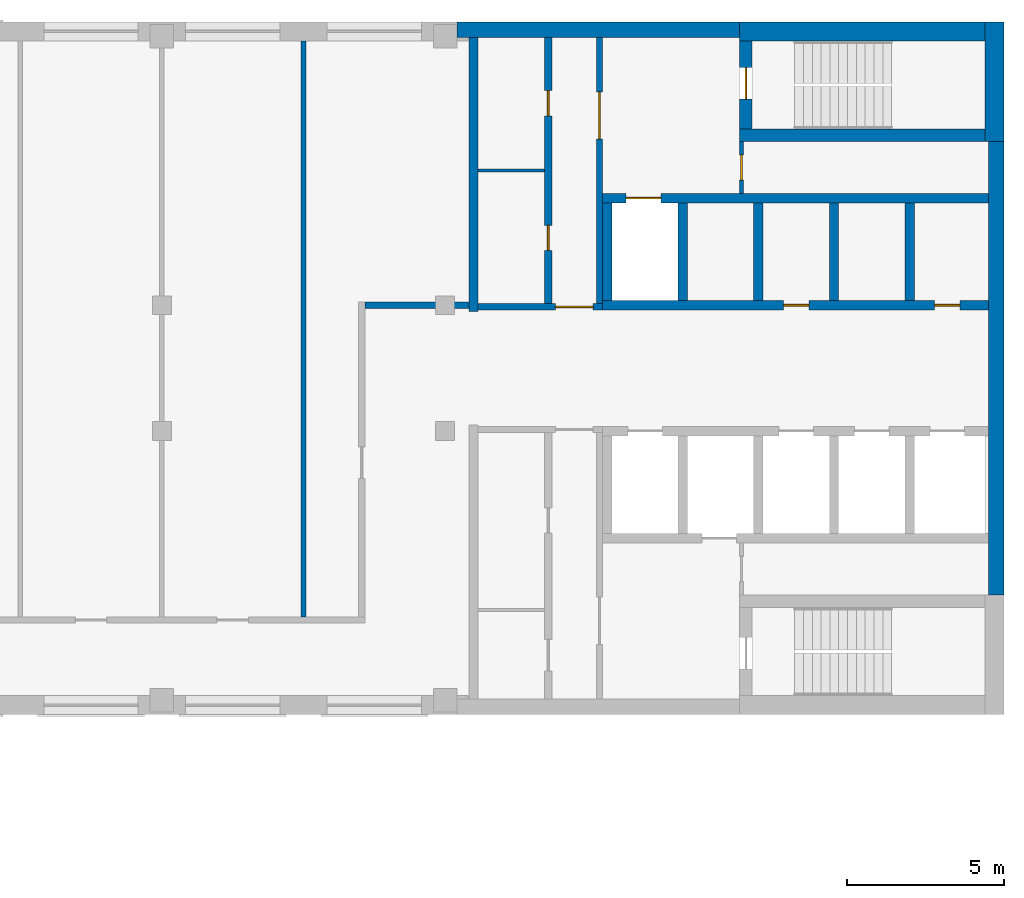
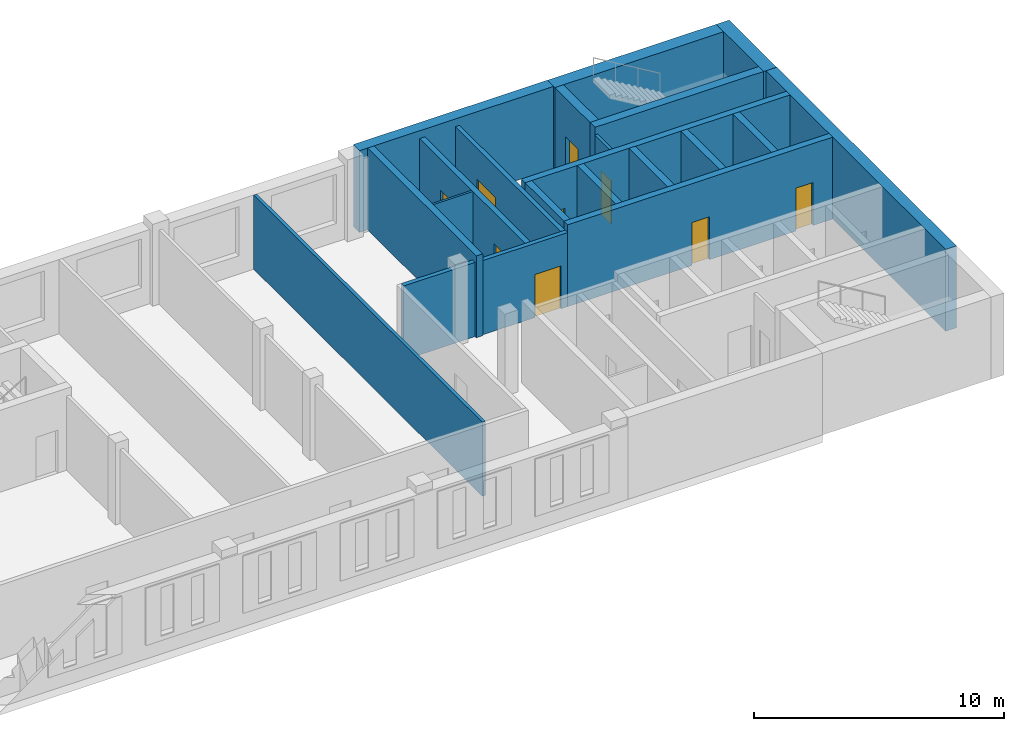
# One storey, part 6 of 11: 21 walls, 9 doors, 9 openings.
"""IFC4 building model written with IfcOpenShell, lengths in metres."""

import ifcopenshell
import ifcopenshell.guid

model = None  # the IFC model being written
_history = None  # IfcOwnerHistory: only IFC2X3 demands one
_inside = {}  # id of a spatial element -> (the spatial element, [elements in it])
_under = {}  # id of a project, library or spatial element -> (it, [spatial elements below it])
_declared = {}  # id of a project -> (the project, [libraries it declares])
_typed = {}  # id of a type object -> (the type object, [elements of that type])
_made_of = {}  # id of a material, layer set ... -> (it, [elements and type objects made of it])


def new_model(schema):
    """Start an empty IFC model of exactly this schema.

    Asked for "IFC4X3", IfcOpenShell would pick the latest addendum, in which some entities
    have other attributes; the version numbers below select the first issue.
    IFC2X3 requires an IfcOwnerHistory on every rooted entity: one is made here for all.
    """
    global model, _history
    if schema == "IFC4X3":
        model = ifcopenshell.file(schema_version=(4, 3, 0, 0))
    else:
        model = ifcopenshell.file(schema=schema)
    _inside.clear()
    _under.clear()
    _declared.clear()
    _typed.clear()
    _made_of.clear()
    _history = None
    if model.schema == "IFC2X3":
        org = make("IfcOrganization", Name="unknown")
        user = make(
            "IfcPersonAndOrganization",
            ThePerson=make("IfcPerson", FamilyName="unknown"),
            TheOrganization=org,
        )
        app = make(
            "IfcApplication",
            ApplicationDeveloper=org,
            Version="unknown",
            ApplicationFullName="unknown",
            ApplicationIdentifier="unknown",
        )
        _history = make(
            "IfcOwnerHistory",
            OwningUser=user,
            OwningApplication=app,
            ChangeAction="ADDED",
            CreationDate=0,
        )
    return model


def make(cls, **values):
    """One entity of the class cls with the attributes given. An attribute that is None is left unset."""
    return model.create_entity(
        cls, **{name: value for name, value in values.items() if value is not None}
    )


def rooted(cls, **values):
    """An entity with a GlobalId (a new one), such as an element, a storey or a relation."""
    return make(cls, GlobalId=ifcopenshell.guid.new(), OwnerHistory=_history, **values)


def si_unit(unit_type, name, prefix=None):
    """IfcSIUnit, for example si_unit("LENGTHUNIT", "METRE", prefix="MILLI")."""
    return make("IfcSIUnit", UnitType=unit_type, Prefix=prefix, Name=name)


def assignment(units):
    """IfcUnitAssignment: the units of a project."""
    return None if units is None else make("IfcUnitAssignment", Units=units)


def point(xyz):
    """IfcCartesianPoint."""
    return None if xyz is None else make("IfcCartesianPoint", Coordinates=xyz)


def direction(xyz):
    """IfcDirection."""
    return None if xyz is None else make("IfcDirection", DirectionRatios=xyz)


def frame(location, z_axis=None, x_axis=None):
    """IfcAxis2Placement3D, a coordinate frame: its origin and axes. An axis left out is left unset."""
    return make(
        "IfcAxis2Placement3D",
        Location=point(location),
        Axis=direction(z_axis),
        RefDirection=direction(x_axis),
    )


def frame_2d(location, x_axis=None):
    """IfcAxis2Placement2D, a coordinate frame in the plane: its origin and x axis."""
    return make(
        "IfcAxis2Placement2D", Location=point(location), RefDirection=direction(x_axis)
    )


def origin():
    """The frame at (0, 0, 0) with its axes left unset."""
    return frame((0.0, 0.0, 0.0))


def place(relative_to, where):
    """IfcLocalPlacement: puts the frame where relative to a parent placement (None: the world)."""
    return make(
        "IfcLocalPlacement", PlacementRelTo=relative_to, RelativePlacement=where
    )


def context(
    kind, dimensions, precision=None, world=None, true_north=None, identifier=None
):
    """IfcGeometricRepresentationContext, for example the 3D "Model" context."""
    return make(
        "IfcGeometricRepresentationContext",
        ContextIdentifier=identifier,
        ContextType=kind,
        CoordinateSpaceDimension=dimensions,
        Precision=precision,
        WorldCoordinateSystem=world,
        TrueNorth=true_north,
    )


def subcontext(parent, identifier, kind, view, scale=None):
    """IfcGeometricRepresentationSubContext, for example "Body" below "Model"."""
    return make(
        "IfcGeometricRepresentationSubContext",
        ContextIdentifier=identifier,
        ContextType=kind,
        ParentContext=parent,
        TargetScale=scale,
        TargetView=view,
    )


def project(units=None, contexts=None):
    """IfcProject with its units and contexts."""
    return rooted(
        "IfcProject",
        Name="project",
        RepresentationContexts=contexts,
        UnitsInContext=assignment(units),
    )


def spatial(cls, under=None, at=None, **own):
    """A site, building, storey or space (cls), placed at a placement, below another one or the project."""
    s = rooted(cls, ObjectPlacement=at, **own)
    if under is not None:
        _under.setdefault(under.id(), (under, []))[1].append(s)
    return s


def profile(cls, at=None, kind="AREA", **sizes):
    """A parametric profile (cls). Its sizes go by their IFC names, for example OverallWidth=200.0."""
    return make(cls, ProfileType=kind, Position=at, **sizes)


def rectangle(**sizes):
    """IfcRectangleProfileDef."""
    return profile("IfcRectangleProfileDef", **sizes)


def extrude(swept, where, along, depth):
    """IfcExtrudedAreaSolid: the profile swept, set in the frame where, extruded along a direction by depth."""
    return make(
        "IfcExtrudedAreaSolid",
        SweptArea=swept,
        Position=where,
        ExtrudedDirection=direction(along),
        Depth=depth,
    )


def shape(context_of_items, identifier, shape_type, items):
    """IfcShapeRepresentation: the items that make up one representation, for example the "Body"."""
    return make(
        "IfcShapeRepresentation",
        ContextOfItems=context_of_items,
        RepresentationIdentifier=identifier,
        RepresentationType=shape_type,
        Items=items,
    )


def material(Name=None, Category=None):
    """IfcMaterial."""
    return make("IfcMaterial", Name=Name, Category=Category)


def layer(
    of_material, thickness, ventilated=None, Name=None, Category=None, Priority=None
):
    """IfcMaterialLayer: one layer of a wall or slab, of a material (None: an air gap)."""
    return make(
        "IfcMaterialLayer",
        Material=of_material,
        LayerThickness=thickness,
        IsVentilated=ventilated,
        Name=Name,
        Category=Category,
        Priority=Priority,
    )


def layer_set(layers, Name=None):
    """IfcMaterialLayerSet."""
    return make("IfcMaterialLayerSet", MaterialLayers=layers, LayerSetName=Name)


def made_of(thing, what):
    """Note that an element or type object is made of a material, layer set ...; save() writes the relation."""
    if what is not None:
        _made_of.setdefault(what.id(), (what, []))[1].append(thing)
    return thing


def type_object(cls, material=None, **own):
    """A type object (cls), such as IfcWallType, which elements share."""
    return made_of(rooted(cls, **own), material)


def element(
    cls,
    number,
    at=None,
    inside=None,
    cuts=None,
    type_object=None,
    material=None,
    context=None,
    identifier="Body",
    shape_type=None,
    held_by="IfcProductDefinitionShape",
    body=None,
    shapes=None,
    **own,
):
    """One element of the class cls, such as IfcWall. Its Tag is "e" and its number.

    at: its placement. inside: the storey or other place that contains it. cuts: it is an
    opening in that element (IfcRelVoidsElement). A single representation is given by context,
    identifier, shape_type and body (its items); several are given by shapes. held_by: the class
    of the entity that holds the representations. save() writes the other relations.
    """
    e = rooted(cls, Tag="e%d" % number, ObjectPlacement=at, **own)
    if body is not None:
        shapes = [shape(context, identifier, shape_type, body)]
    if shapes is not None:
        e.Representation = make(held_by, Representations=shapes)
    if inside is not None:
        _inside.setdefault(inside.id(), (inside, []))[1].append(e)
    if cuts is not None:
        rooted(
            "IfcRelVoidsElement", RelatingBuildingElement=cuts, RelatedOpeningElement=e
        )
    if type_object is not None:
        _typed.setdefault(type_object.id(), (type_object, []))[1].append(e)
    return made_of(e, material)


def fill(opening, filler):
    """IfcRelFillsElement: the door or window that sits in an opening."""
    return rooted(
        "IfcRelFillsElement",
        RelatingOpeningElement=opening,
        RelatedBuildingElement=filler,
    )


def aggregate(whole, parts):
    """IfcRelAggregates: a whole, such as a stair, and the parts it consists of."""
    return rooted("IfcRelAggregates", RelatingObject=whole, RelatedObjects=parts)


def save(model, path):
    """Write the relations noted so far, then the file.

    IfcRelAggregates (storeys below a building ...), IfcRelContainedInSpatialStructure (elements
    in a storey), IfcRelDefinesByType, IfcRelAssociatesMaterial and IfcRelDeclares: one each for
    every whole, place, type object, material and project.
    """
    for whole, parts in _under.values():
        aggregate(whole, parts)
    for where, things in _inside.values():
        rooted(
            "IfcRelContainedInSpatialStructure",
            RelatedElements=things,
            RelatingStructure=where,
        )
    for kind, things in _typed.values():
        rooted("IfcRelDefinesByType", RelatedObjects=things, RelatingType=kind)
    for what, things in _made_of.values():
        rooted("IfcRelAssociatesMaterial", RelatedObjects=things, RelatingMaterial=what)
    for by, libraries in _declared.values():
        rooted("IfcRelDeclares", RelatingContext=by, RelatedDefinitions=libraries)
    model.write(path)


model = new_model("IFC4")

# Units and contexts
model_context = context("Model", 3, precision=1e-05, world=origin(), true_north=direction((0.0, 1.0)))
body_context = subcontext(model_context, "Body", "Model", "MODEL_VIEW")
ifc_project = project(units=[si_unit("LENGTHUNIT", "METRE"), si_unit("AREAUNIT", "SQUARE_METRE"), si_unit("VOLUMEUNIT", "CUBIC_METRE"), si_unit("PLANEANGLEUNIT", "RADIAN"), si_unit("MASSUNIT", "GRAM", prefix="KILO")], contexts=[model_context])

# Site, building, storey
site_placement = place(None, origin())
site = spatial("IfcSite", under=ifc_project, at=site_placement, CompositionType="ELEMENT")
building_placement = place(site_placement, origin())
building = spatial("IfcBuilding", under=site, at=building_placement, Name="Skarvind Civic Tower", CompositionType="ELEMENT")
storey_placement = place(building_placement, frame((0.0, 0.0, 212.0)))
storey = spatial("IfcBuildingStorey", under=building, at=storey_placement, Name="L50", CompositionType="ELEMENT", Elevation=212.0)

# Wall, opening, door
ifc_material_1 = material(Name="Fire-rated masonry partition", Category="masonry")
ifc_layer_1 = layer(ifc_material_1, 0.199951171875)
ifc_layer_set_1 = layer_set([ifc_layer_1], Name="Core enclosure wall 200")
wall_type_1 = type_object("IfcWallType", Name="Core enclosure wall 200", PredefinedType="PARTITIONING", material=ifc_layer_set_1)
wall_1_placement = place(storey_placement, frame((91.300048828125, 129.949951171875, 0.0), z_axis=(0.0, 0.0, 1.0), x_axis=(1.0, 0.0, 0.0)))
wall_1 = element("IfcWall", 1, at=wall_1_placement, inside=storey, type_object=wall_type_1, Name="Core wall C1", PredefinedType="PARTITIONING", context=body_context, shape_type="SweptSolid", body=[
    extrude(rectangle(XDim=3.949951171875, YDim=0.199951171875, at=frame_2d((1.97509765625, 0.0))), origin(), (0.0, 0.0, 1.0), 3.625),
])
opening_1_placement = place(wall_1_placement, frame((2.449951171875, 0.0, 0.0)))
opening_1 = element("IfcOpeningElement", 2, at=opening_1_placement, cuts=wall_1, Name="Opening D-L50-C1-13", PredefinedType="OPENING", context=body_context, shape_type="SweptSolid", body=[
    extrude(rectangle(XDim=1.199951171875, YDim=2.10009765625, at=frame_2d((0.60009765625, 1.050048828125))), frame((0.0, 0.10986328125, 0.0), z_axis=(0.0, -1.0, 0.0), x_axis=(1.0, 0.0, 0.0)), (0.0, 0.0, 1.0), 0.219970703125),
])
ifc_material_2 = material(Name="Fire-rated steel door", Category="steel")
door_type_1 = type_object("IfcDoorType", Name="Core lobby door 1200", OperationType="NOTDEFINED", PredefinedType="DOOR", material=ifc_material_2)
door_1_placement = place(opening_1_placement, origin())
door_1 = element("IfcDoor", 3, at=door_1_placement, inside=storey, type_object=door_type_1, Name="Fire door", OperationType="DOUBLE_DOOR_SINGLE_SWING", OverallHeight=2.10009765625, OverallWidth=1.199951171875, PredefinedType="DOOR", context=body_context, shape_type="SweptSolid", body=[
    extrude(rectangle(XDim=1.199951171875, YDim=2.10009765625, at=frame_2d((0.60009765625, 1.050048828125))), frame((0.0, 0.02490234375, 0.0), z_axis=(0.0, -1.0, 0.0), x_axis=(1.0, 0.0, 0.0)), (0.0, 0.0, 1.0), 0.050048828125),
])
fill(opening_1, door_1)

wall_2_placement = place(storey_placement, frame((95.14990234375, 130.050048828125, 0.0), z_axis=(0.0, 0.0, 1.0), x_axis=(0.0, 1.0, 0.0)))
wall_2 = element("IfcWall", 4, at=wall_2_placement, inside=storey, type_object=wall_type_1, Name="Core wall C1", PredefinedType="PARTITIONING", context=body_context, shape_type="SweptSolid", body=[
    extrude(rectangle(XDim=8.449951171875, YDim=0.199951171875, at=frame_2d((4.22509765625, 0.0))), origin(), (0.0, 0.0, 1.0), 3.625),
])
opening_2_placement = place(wall_2_placement, frame((5.22509765625, 0.0, 0.0)))
opening_2 = element("IfcOpeningElement", 5, at=opening_2_placement, cuts=wall_2, Name="Opening D-L50-C1-14", PredefinedType="OPENING", context=body_context, shape_type="SweptSolid", body=[
    extrude(rectangle(XDim=1.5, YDim=2.10009765625, at=frame_2d((0.75, 1.050048828125))), frame((0.0, 0.10986328125, 0.0), z_axis=(0.0, -1.0, 0.0), x_axis=(1.0, 0.0, 0.0)), (0.0, 0.0, 1.0), 0.219970703125),
])
door_type_2 = type_object("IfcDoorType", Name="Fire door 1500", OperationType="NOTDEFINED", PredefinedType="DOOR", material=ifc_material_2)
door_2_placement = place(opening_2_placement, origin())
door_2 = element("IfcDoor", 6, at=door_2_placement, inside=storey, type_object=door_type_2, Name="Fire door", OperationType="DOUBLE_DOOR_SINGLE_SWING", OverallHeight=2.10009765625, OverallWidth=1.5, PredefinedType="DOOR", context=body_context, shape_type="SweptSolid", body=[
    extrude(rectangle(XDim=1.5, YDim=2.10009765625, at=frame_2d((0.75, 1.050048828125))), frame((0.0, 0.02490234375, 0.0), z_axis=(0.0, -1.0, 0.0), x_axis=(1.0, 0.0, 0.0)), (0.0, 0.0, 1.0), 0.050048828125),
])
fill(opening_2, door_2)

# Wall
ifc_material_3 = material(Name="Fire-rated plasterboard partition")
ifc_layer_2 = layer(ifc_material_3, 0.10009765625)
ifc_layer_set_2 = layer_set([ifc_layer_2], Name="Core partition wall 100")
wall_type_2 = type_object("IfcWallType", Name="Core partition wall 100", PredefinedType="PARTITIONING", material=ifc_layer_set_2)
wall_3_placement = place(storey_placement, frame((91.300048828125, 134.280029296875, 0.0), z_axis=(0.0, 0.0, 1.0), x_axis=(1.0, 0.0, 0.0)))
element("IfcWall", 7, at=wall_3_placement, inside=storey, type_object=wall_type_2, Name="Core wall C1", PredefinedType="PARTITIONING", context=body_context, shape_type="SweptSolid", body=[
    extrude(rectangle(XDim=2.099853515625, YDim=0.10009765625, at=frame_2d((1.0498046875, 0.0))), origin(), (0.0, 0.0, 1.0), 3.625),
])

# Wall, openings, doors
ifc_material_4 = material(Name="Concrete C60", Category="concrete")
ifc_layer_3 = layer(ifc_material_4, 0.300048828125)
ifc_layer_set_3 = layer_set([ifc_layer_3], Name="Core wall 300 C60")
wall_type_3 = type_object("IfcWallType", Name="Core wall 300 C60", PredefinedType="SHEAR", material=ifc_layer_set_3)
wall_4_placement = place(storey_placement, frame((107.5, 130.0, 0.0), z_axis=(0.0, 0.0, 1.0), x_axis=(-1.0, 0.0, 0.0)))
wall_4 = element("IfcWall", 8, at=wall_4_placement, inside=storey, type_object=wall_type_3, Name="Core wall C1 south lift row front L50", PredefinedType="SHEAR", context=body_context, shape_type="SweptSolid", body=[
    extrude(rectangle(XDim=12.25, YDim=0.300048828125, at=frame_2d((6.125, 0.0))), origin(), (0.0, 0.0, 1.0), 4.0),
])
opening_3_placement = place(wall_4_placement, frame((0.89990234375, 0.0, 0.0)))
opening_3 = element("IfcOpeningElement", 9, at=opening_3_placement, cuts=wall_4, Name="Opening D-L50-C1-05", PredefinedType="OPENING", context=body_context, shape_type="SweptSolid", body=[
    extrude(rectangle(XDim=0.800048828125, YDim=2.10009765625, at=frame_2d((0.39990234375, 1.050048828125))), frame((0.0, 0.159912109375, 0.0), z_axis=(0.0, -1.0, 0.0), x_axis=(1.0, 0.0, 0.0)), (0.0, 0.0, 1.0), 0.320068359375),
])
opening_4_placement = place(wall_4_placement, frame((5.699951171875, 0.0, 0.0)))
opening_4 = element("IfcOpeningElement", 10, at=opening_4_placement, cuts=wall_4, Name="Opening D-L50-C1-06", PredefinedType="OPENING", context=body_context, shape_type="SweptSolid", body=[
    extrude(rectangle(XDim=0.800048828125, YDim=2.10009765625, at=frame_2d((0.39990234375, 1.050048828125))), frame((0.0, 0.159912109375, 0.0), z_axis=(0.0, -1.0, 0.0), x_axis=(1.0, 0.0, 0.0)), (0.0, 0.0, 1.0), 0.320068359375),
])
door_type_3 = type_object("IfcDoorType", Name="Core riser door 800", OperationType="NOTDEFINED", PredefinedType="DOOR", material=ifc_material_2)
door_3_placement = place(opening_3_placement, origin())
door_3 = element("IfcDoor", 11, at=door_3_placement, inside=storey, type_object=door_type_3, Name="Riser door", OperationType="SINGLE_SWING_LEFT", OverallHeight=2.10009765625, OverallWidth=0.800048828125, PredefinedType="DOOR", context=body_context, shape_type="SweptSolid", body=[
    extrude(rectangle(XDim=0.800048828125, YDim=2.10009765625, at=frame_2d((0.39990234375, 1.050048828125))), frame((0.0, 0.02490234375, 0.0), z_axis=(0.0, -1.0, 0.0), x_axis=(1.0, 0.0, 0.0)), (0.0, 0.0, 1.0), 0.050048828125),
])
fill(opening_3, door_3)
door_4_placement = place(opening_4_placement, origin())
door_4 = element("IfcDoor", 12, at=door_4_placement, inside=storey, type_object=door_type_3, Name="Riser door", OperationType="SINGLE_SWING_RIGHT", OverallHeight=2.10009765625, OverallWidth=0.800048828125, PredefinedType="DOOR", context=body_context, shape_type="SweptSolid", body=[
    extrude(rectangle(XDim=0.800048828125, YDim=2.10009765625, at=frame_2d((0.39990234375, 1.050048828125))), frame((0.0, 0.02490234375, 0.0), z_axis=(0.0, -1.0, 0.0), x_axis=(1.0, 0.0, 0.0)), (0.0, 0.0, 1.0), 0.050048828125),
])
fill(opening_4, door_4)

# Wall, opening, door
wall_5_placement = place(storey_placement, frame((107.5, 133.39990234375, 0.0), z_axis=(0.0, 0.0, 1.0), x_axis=(-1.0, 0.0, 0.0)))
wall_5 = element("IfcWall", 13, at=wall_5_placement, inside=storey, type_object=wall_type_3, Name="Core wall C1 south lift row back L50", PredefinedType="SHEAR", context=body_context, shape_type="SweptSolid", body=[
    extrude(rectangle(XDim=12.25, YDim=0.300048828125, at=frame_2d((6.125, 0.0))), origin(), (0.0, 0.0, 1.0), 4.0),
])
opening_5_placement = place(wall_5_placement, frame((10.39990234375, 0.0, 0.0)))
opening_5 = element("IfcOpeningElement", 14, at=opening_5_placement, cuts=wall_5, Name="Opening LD52110", PredefinedType="OPENING", context=body_context, shape_type="SweptSolid", body=[
    extrude(rectangle(XDim=1.10009765625, YDim=2.10009765625, at=frame_2d((0.550048828125, 1.050048828125))), frame((0.0, 0.159912109375, 0.0), z_axis=(0.0, -1.0, 0.0), x_axis=(1.0, 0.0, 0.0)), (0.0, 0.0, 1.0), 0.320068359375),
])
ifc_material_5 = material(Name="Stainless steel landing door", Category="steel")
door_type_4 = type_object("IfcDoorType", Name="Lift landing door 1100", OperationType="DOUBLE_DOOR_SLIDING", PredefinedType="DOOR", material=ifc_material_5)
door_5_placement = place(opening_5_placement, origin())
door_5 = element("IfcDoor", 15, at=door_5_placement, inside=storey, type_object=door_type_4, Name="Lift landing door", OperationType="DOUBLE_DOOR_SLIDING", OverallHeight=2.10009765625, OverallWidth=1.10009765625, PredefinedType="DOOR", context=body_context, shape_type="SweptSolid", body=[
    extrude(rectangle(XDim=1.10009765625, YDim=2.10009765625, at=frame_2d((0.550048828125, 1.050048828125))), frame((0.0, 0.02490234375, 0.0), z_axis=(0.0, -1.0, 0.0), x_axis=(1.0, 0.0, 0.0)), (0.0, 0.0, 1.0), 0.050048828125),
])
fill(opening_5, door_5)

# Walls
for number, where, z_axis, x_axis, name in (
    (16, (105.0, 133.25, 0.0), (0.0, 0.0, 1.0), (0.0, -1.0, 0.0), "Core wall C1 south lift row division 1 L50"),
    (17, (102.60009765625, 133.25, 0.0), (0.0, 0.0, 1.0), (0.0, -1.0, 0.0), "Core wall C1 south lift row division 2 L50"),
    (18, (100.199951171875, 133.25, 0.0), (0.0, 0.0, 1.0), (0.0, -1.0, 0.0), "Core wall C1 south lift row division 3 L50"),
    (19, (97.800048828125, 133.25, 0.0), (0.0, 0.0, 1.0), (0.0, -1.0, 0.0), "Core wall C1 south lift row division 4 L50"),
    (20, (95.39990234375, 133.25, 0.0), (0.0, 0.0, 1.0), (0.0, -1.0, 0.0), "Core wall C1 south lift row division 5 L50"),
):
    element("IfcWall", number, at=place(storey_placement, frame(where, z_axis=z_axis, x_axis=x_axis)), inside=storey, type_object=wall_type_3, Name=name, PredefinedType="SHEAR", context=body_context, shape_type="SweptSolid", body=[
        extrude(rectangle(XDim=3.10009765625, YDim=0.300048828125, at=frame_2d((1.550048828125, 0.0))), origin(), (0.0, 0.0, 1.0), 4.0),
    ])
wall_6_placement = place(storey_placement, frame((91.14990234375, 138.5, 0.0), z_axis=(0.0, 0.0, 1.0), x_axis=(0.0, -1.0, 0.0)))
element("IfcWall", 21, at=wall_6_placement, inside=storey, type_object=wall_type_3, Name="Core wall C1 south inner face L50", PredefinedType="SHEAR", context=body_context, shape_type="SweptSolid", body=[
    extrude(rectangle(XDim=8.699951171875, YDim=0.300048828125, at=frame_2d((4.35009765625, 0.0))), origin(), (0.0, 0.0, 1.0), 4.0),
])
ifc_layer_4 = layer(ifc_material_4, 0.39990234375)
ifc_layer_set_4 = layer_set([ifc_layer_4], Name="Core wall 400 C60")
wall_type_4 = type_object("IfcWallType", Name="Core wall 400 C60", PredefinedType="SHEAR", material=ifc_layer_set_4)
wall_7_placement = place(storey_placement, frame((107.39990234375, 135.39990234375, 0.0), z_axis=(0.0, 0.0, 1.0), x_axis=(-1.0, 0.0, 0.0)))
element("IfcWall", 22, at=wall_7_placement, inside=storey, type_object=wall_type_4, Name="Core wall C1 south stair inner L50", PredefinedType="SHEAR", context=body_context, shape_type="SweptSolid", body=[
    extrude(rectangle(XDim=7.7998046875, YDim=0.39990234375, at=frame_2d((3.89990234375, 0.0))), origin(), (0.0, 0.0, 1.0), 4.0),
])

# Wall, opening, door
wall_8_placement = place(storey_placement, frame((99.800048828125, 138.39990234375, 0.0), z_axis=(0.0, 0.0, 1.0), x_axis=(0.0, -1.0, 0.0)))
wall_8 = element("IfcWall", 23, at=wall_8_placement, inside=storey, type_object=wall_type_4, Name="Core wall C1 south stair end L50", PredefinedType="SHEAR", context=body_context, shape_type="SweptSolid", body=[
    extrude(rectangle(XDim=2.7998046875, YDim=0.39990234375, at=frame_2d((1.39990234375, 0.0))), origin(), (0.0, 0.0, 1.0), 4.0),
])
opening_6_placement = place(wall_8_placement, frame((0.85009765625, 0.0, 0.0)))
opening_6 = element("IfcOpeningElement", 24, at=opening_6_placement, cuts=wall_8, Name="Opening D-L50-C1-15", PredefinedType="OPENING", context=body_context, shape_type="SweptSolid", body=[
    extrude(rectangle(XDim=1.0, YDim=2.10009765625, at=frame_2d((0.5, 1.050048828125))), frame((0.0, 0.2099609375, 0.0), z_axis=(0.0, -1.0, 0.0), x_axis=(1.0, 0.0, 0.0)), (0.0, 0.0, 1.0), 0.419921875),
])
door_type_5 = type_object("IfcDoorType", Name="Fire door 1000", OperationType="NOTDEFINED", PredefinedType="DOOR", material=ifc_material_2)
door_6_placement = place(opening_6_placement, origin())
door_6 = element("IfcDoor", 25, at=door_6_placement, inside=storey, type_object=door_type_5, Name="Fire door", OperationType="SINGLE_SWING_RIGHT", OverallHeight=2.10009765625, OverallWidth=1.0, PredefinedType="DOOR", context=body_context, shape_type="SweptSolid", body=[
    extrude(rectangle(XDim=1.0, YDim=2.10009765625, at=frame_2d((0.5, 1.050048828125))), frame((0.0, 0.02490234375, 0.0), z_axis=(0.0, -1.0, 0.0), x_axis=(1.0, 0.0, 0.0)), (0.0, 0.0, 1.0), 0.050048828125),
])
fill(opening_6, door_6)

# Walls
ifc_layer_5 = layer(ifc_material_4, 0.5)
ifc_layer_set_5 = layer_set([ifc_layer_5], Name="Core wall 500 C60")
wall_type_5 = type_object("IfcWallType", Name="Core wall 500 C60", PredefinedType="SHEAR", material=ifc_layer_set_5)
wall_9_placement = place(storey_placement, frame((107.75, 135.199951171875, 0.0), z_axis=(0.0, 0.0, 1.0), x_axis=(0.0, -1.0, 0.0)))
element("IfcWall", 26, at=wall_9_placement, inside=storey, type_object=wall_type_5, Name="Core wall C1 tip between the stairs L50", PredefinedType="SHEAR", context=body_context, shape_type="SweptSolid", body=[
    extrude(rectangle(XDim=14.39990234375, YDim=0.5, at=frame_2d((7.199951171875, 0.0))), origin(), (0.0, 0.0, 1.0), 4.0),
])
wall_10_placement = place(storey_placement, frame((99.60009765625, 138.75, 0.0), z_axis=(0.0, 0.0, 1.0), x_axis=(-1.0, 0.0, 0.0)))
element("IfcWall", 27, at=wall_10_placement, inside=storey, type_object=wall_type_5, Name="Core wall C1 south side L50", PredefinedType="SHEAR", context=body_context, shape_type="SweptSolid", body=[
    extrude(rectangle(XDim=8.97509765625, YDim=0.5, at=frame_2d((4.487548828125, 0.0))), origin(), (0.0, 0.0, 1.0), 4.0),
])
ifc_layer_6 = layer(ifc_material_4, 0.60009765625)
ifc_layer_set_6 = layer_set([ifc_layer_6], Name="Core wall 600 C60")
wall_type_6 = type_object("IfcWallType", Name="Core wall 600 C60", PredefinedType="SHEAR", material=ifc_layer_set_6)
wall_11_placement = place(storey_placement, frame((107.699951171875, 139.0, 0.0), z_axis=(0.0, 0.0, 1.0), x_axis=(0.0, -1.0, 0.0)))
element("IfcWall", 28, at=wall_11_placement, inside=storey, type_object=wall_type_6, Name="Core wall C1 tip at the south stair L50", PredefinedType="SHEAR", context=body_context, shape_type="SweptSolid", body=[
    extrude(rectangle(XDim=3.800048828125, YDim=0.60009765625, at=frame_2d((1.89990234375, 0.0))), origin(), (0.0, 0.0, 1.0), 4.0),
])
wall_12_placement = place(storey_placement, frame((107.39990234375, 138.699951171875, 0.0), z_axis=(0.0, 0.0, 1.0), x_axis=(-1.0, 0.0, 0.0)))
element("IfcWall", 29, at=wall_12_placement, inside=storey, type_object=wall_type_6, Name="Core wall C1 south side at the stair L50", PredefinedType="SHEAR", context=body_context, shape_type="SweptSolid", body=[
    extrude(rectangle(XDim=7.7998046875, YDim=0.60009765625, at=frame_2d((3.89990234375, 0.0))), origin(), (0.0, 0.0, 1.0), 4.0),
])
ifc_material_6 = material(Name="Fire-rated blockwork wall, plastered", Category="masonry")
ifc_layer_7 = layer(ifc_material_6, 0.199951171875)
ifc_layer_set_7 = layer_set([ifc_layer_7], Name="FIRE WALL 200 EI 60")
wall_type_7 = type_object("IfcWallType", Name="FIRE WALL 200 EI 60", PredefinedType="PARTITIONING", material=ifc_layer_set_7)
wall_13_placement = place(storey_placement, frame((87.699951171875, 130.0, 0.0), z_axis=(0.0, 0.0, 1.0), x_axis=(1.0, 0.0, 0.0)))
element("IfcWall", 30, at=wall_13_placement, inside=storey, type_object=wall_type_7, Name="Portal partition L50 026", PredefinedType="PARTITIONING", context=body_context, shape_type="SweptSolid", body=[
    extrude(rectangle(XDim=3.300048828125, YDim=0.199951171875, at=frame_2d((1.64990234375, 0.0))), origin(), (0.0, 0.0, 1.0), 3.625),
])
ifc_material_7 = material(Name="Plasterboard partition on steel studs", Category="steel")
ifc_layer_8 = layer(ifc_material_7, 0.14990234375)
ifc_layer_set_8 = layer_set([ifc_layer_8], Name="PARTITION 150")
wall_type_8 = type_object("IfcWallType", Name="PARTITION 150", PredefinedType="PARTITIONING", material=ifc_layer_set_8)
wall_14_placement = place(storey_placement, frame((85.75, 120.10009765625, 0.0), z_axis=(0.0, 0.0, 1.0), x_axis=(0.0, 1.0, 0.0)))
element("IfcWall", 31, at=wall_14_placement, inside=storey, type_object=wall_type_8, Name="Portal partition L50 024", PredefinedType="PARTITIONING", context=body_context, shape_type="SweptSolid", body=[
    extrude(rectangle(XDim=18.2998046875, YDim=0.14990234375, at=frame_2d((9.14990234375, 0.0))), origin(), (0.0, 0.0, 1.0), 3.625),
])

# Wall, opening, door
ifc_layer_9 = layer(ifc_material_1, 0.125)
ifc_layer_set_9 = layer_set([ifc_layer_9], Name="Riser wall 125")
wall_type_9 = type_object("IfcWallType", Name="Riser wall 125", PredefinedType="PARTITIONING", material=ifc_layer_set_9)
wall_15_placement = place(storey_placement, frame((99.66259765625, 133.550048828125, 0.0), z_axis=(0.0, 0.0, 1.0), x_axis=(0.0, 1.0, 0.0)))
wall_15 = element("IfcWall", 32, at=wall_15_placement, inside=storey, type_object=wall_type_9, Name="Core wall C1", PredefinedType="PARTITIONING", context=body_context, shape_type="SweptSolid", body=[
    extrude(rectangle(XDim=1.64990234375, YDim=0.125, at=frame_2d((0.824951171875, 0.0))), origin(), (0.0, 0.0, 1.0), 3.625),
])
opening_7_placement = place(wall_15_placement, frame((0.425048828125, 0.0, 0.0)))
opening_7 = element("IfcOpeningElement", 33, at=opening_7_placement, cuts=wall_15, Name="Opening D-L50-C1-16", PredefinedType="OPENING", context=body_context, shape_type="SweptSolid", body=[
    extrude(rectangle(XDim=0.800048828125, YDim=2.10009765625, at=frame_2d((0.39990234375, 1.050048828125))), frame((0.0, 0.072509765625, 0.0), z_axis=(0.0, -1.0, 0.0), x_axis=(1.0, 0.0, 0.0)), (0.0, 0.0, 1.0), 0.14501953125),
])
door_7_placement = place(opening_7_placement, origin())
door_7 = element("IfcDoor", 34, at=door_7_placement, inside=storey, type_object=door_type_3, Name="Riser door", OperationType="SINGLE_SWING_LEFT", OverallHeight=2.10009765625, OverallWidth=0.800048828125, PredefinedType="DOOR", context=body_context, shape_type="SweptSolid", body=[
    extrude(rectangle(XDim=0.800048828125, YDim=2.10009765625, at=frame_2d((0.39990234375, 1.050048828125))), frame((0.0, 0.02490234375, 0.0), z_axis=(0.0, -1.0, 0.0), x_axis=(1.0, 0.0, 0.0)), (0.0, 0.0, 1.0), 0.050048828125),
])
fill(opening_7, door_7)

# Wall, openings, doors
ifc_layer_10 = layer(ifc_material_1, 0.25)
ifc_layer_set_10 = layer_set([ifc_layer_10], Name="Service block wall 250")
wall_type_10 = type_object("IfcWallType", Name="Service block wall 250", PredefinedType="PARTITIONING", material=ifc_layer_set_10)
wall_16_placement = place(storey_placement, frame((93.52490234375, 130.050048828125, 0.0), z_axis=(0.0, 0.0, 1.0), x_axis=(0.0, 1.0, 0.0)))
wall_16 = element("IfcWall", 35, at=wall_16_placement, inside=storey, type_object=wall_type_10, Name="Core wall C1", PredefinedType="PARTITIONING", context=body_context, shape_type="SweptSolid", body=[
    extrude(rectangle(XDim=8.449951171875, YDim=0.25, at=frame_2d((4.22509765625, 0.0))), origin(), (0.0, 0.0, 1.0), 3.625),
])
opening_8_placement = place(wall_16_placement, frame((1.68994140625, 0.0, 0.0)))
opening_8 = element("IfcOpeningElement", 36, at=opening_8_placement, cuts=wall_16, Name="Opening D-L50-C1-17", PredefinedType="OPENING", context=body_context, shape_type="SweptSolid", body=[
    extrude(rectangle(XDim=0.800048828125, YDim=2.10009765625, at=frame_2d((0.39990234375, 1.050048828125))), frame((0.0, 0.135009765625, 0.0), z_axis=(0.0, -1.0, 0.0), x_axis=(1.0, 0.0, 0.0)), (0.0, 0.0, 1.0), 0.27001953125),
])
opening_9_placement = place(wall_16_placement, frame((5.965087890625, 0.0, 0.0)))
opening_9 = element("IfcOpeningElement", 37, at=opening_9_placement, cuts=wall_16, Name="Opening D-L50-C1-18", PredefinedType="OPENING", context=body_context, shape_type="SweptSolid", body=[
    extrude(rectangle(XDim=0.800048828125, YDim=2.10009765625, at=frame_2d((0.39990234375, 1.050048828125))), frame((0.0, 0.135009765625, 0.0), z_axis=(0.0, -1.0, 0.0), x_axis=(1.0, 0.0, 0.0)), (0.0, 0.0, 1.0), 0.27001953125),
])
door_8_placement = place(opening_8_placement, origin())
door_8 = element("IfcDoor", 38, at=door_8_placement, inside=storey, type_object=door_type_3, Name="Riser door", OperationType="SINGLE_SWING_RIGHT", OverallHeight=2.10009765625, OverallWidth=0.800048828125, PredefinedType="DOOR", context=body_context, shape_type="SweptSolid", body=[
    extrude(rectangle(XDim=0.800048828125, YDim=2.10009765625, at=frame_2d((0.39990234375, 1.050048828125))), frame((0.0, 0.02490234375, 0.0), z_axis=(0.0, -1.0, 0.0), x_axis=(1.0, 0.0, 0.0)), (0.0, 0.0, 1.0), 0.050048828125),
])
fill(opening_8, door_8)
door_9_placement = place(opening_9_placement, origin())
door_9 = element("IfcDoor", 39, at=door_9_placement, inside=storey, type_object=door_type_3, Name="Riser door", OperationType="SINGLE_SWING_LEFT", OverallHeight=2.10009765625, OverallWidth=0.800048828125, PredefinedType="DOOR", context=body_context, shape_type="SweptSolid", body=[
    extrude(rectangle(XDim=0.800048828125, YDim=2.10009765625, at=frame_2d((0.39990234375, 1.050048828125))), frame((0.0, 0.02490234375, 0.0), z_axis=(0.0, -1.0, 0.0), x_axis=(1.0, 0.0, 0.0)), (0.0, 0.0, 1.0), 0.050048828125),
])
fill(opening_9, door_9)

save(model, "model.ifc")
